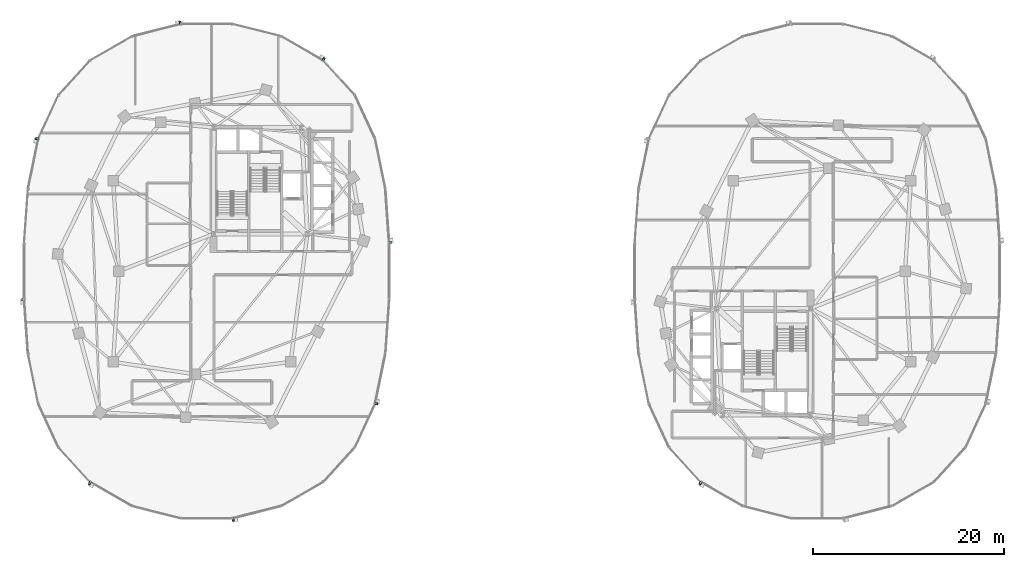
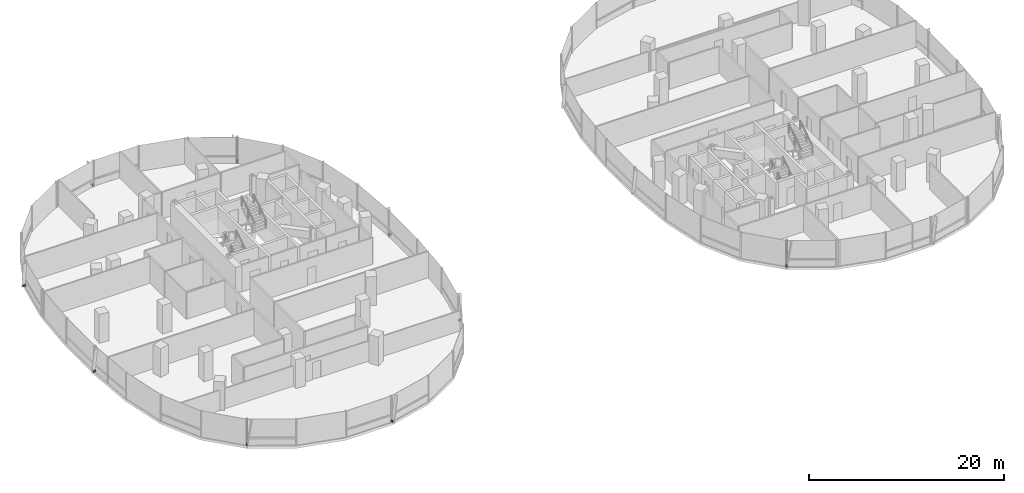
# One storey, part 15 of 21: 9 discrete accessories.
"""IFC4 building model written with IfcOpenShell, lengths in metres."""

from ifc_helpers import new_model, si_unit, direction, frame, origin, origin_2d, place, context, subcontext, project, spatial, rectangle, extrude, material, type_object, element, save


model = new_model("IFC4")

# Units and contexts
model_context = context("Model", 3, precision=1e-05, world=origin(), true_north=direction((0.0, 1.0)))
body_context = subcontext(model_context, "Body", "Model", "MODEL_VIEW")
ifc_project = project(units=[si_unit("LENGTHUNIT", "METRE"), si_unit("AREAUNIT", "SQUARE_METRE"), si_unit("VOLUMEUNIT", "CUBIC_METRE"), si_unit("PLANEANGLEUNIT", "RADIAN"), si_unit("MASSUNIT", "GRAM", prefix="KILO"), si_unit("THERMODYNAMICTEMPERATUREUNIT", "KELVIN"), si_unit("POWERUNIT", "WATT")], contexts=[model_context])

# Site, building, storey
site_placement = place(None, origin())
site = spatial("IfcSite", under=ifc_project, at=site_placement, CompositionType="ELEMENT")
building_placement = place(site_placement, origin())
building = spatial("IfcBuilding", under=site, at=building_placement, Name="Cundina Bronze Exchange", CompositionType="ELEMENT")
storey_placement = place(building_placement, frame((0.0, 0.0, 117.800048828125)))
storey = spatial("IfcBuildingStorey", under=building, at=storey_placement, Name="L30", CompositionType="ELEMENT", Elevation=117.800048828125)

# Discrete accessories
ifc_material = material(Name="Anodised Bronze Aluminium 6063-T6", Category="aluminium")
discrete_accessory_type = type_object("IfcDiscreteAccessoryType", Name="ACC-BRK-FIN", PredefinedType="BRACKET", material=ifc_material)
for number, where, z_axis, x_axis, name in (
    (1, (-12.735595703125, 2.986083984375, 0.10009765625), (0.0, 0.0, 1.0), (-0.070278787473, 0.997527389113, 0.0), "L30 Fin Support Bracket 1"),
    (2, (-19.740478515625, 22.21875, 0.10009765625), (0.0, 0.0, 1.0), (-0.867105478933, 0.498124571171, 0.0), "L30 Fin Support Bracket 5"),
    (3, (-34.76025390625, 26.03173828125, 0.10009765625), (0.0, 0.0, 1.0), (-0.969488149345, -0.245138182011, 0.0), "L30 Fin Support Bracket 1"),
    (4, (-49.788330078125, 13.8896484375, 0.10009765625), (0.0, 0.0, 1.0), (-0.201419845156, -0.979505000486, 0.0), "L30 Fin Support Bracket 5"),
    (5, (-51.264404296875, -2.986083984375, 0.10009765625), (0.0, 0.0, 1.0), (0.070278787473, -0.997527389113, 0.0), "L30 Fin Support Bracket 1"),
    (6, (-44.259521484375, -22.21875, 0.10009765625), (0.0, 0.0, 1.0), (0.867105478933, -0.498124571171, 0.0), "L30 Fin Support Bracket 5"),
    (7, (-29.23974609375, -26.03173828125, 0.10009765625), (0.0, 0.0, 1.0), (0.969488149345, 0.245138182011, 0.0), "L30 Fin Support Bracket 1"),
    (8, (-14.211669921875, -13.8896484375, 0.10009765625), (0.0, 0.0, 1.0), (0.201419845156, 0.979505000486, 0.0), "L30 Fin Support Bracket 5"),
    (9, (19.740478515625, -22.21875, 0.10009765625), (0.0, 0.0, 1.0), (0.867105478933, -0.498124571171, 0.0), "L30 Fin Support Bracket 5"),
):
    element("IfcDiscreteAccessory", number, at=place(storey_placement, frame(where, z_axis=z_axis, x_axis=x_axis)), inside=storey, type_object=discrete_accessory_type, Name=name, PredefinedType="BRACKET", context=body_context, shape_type="SweptSolid", body=[
        extrude(rectangle(XDim=0.219970703125, YDim=0.320068359375, at=origin_2d()), origin(), (0.0, 0.0, 1.0), 0.239990234375),
    ])

save(model, "model.ifc")
